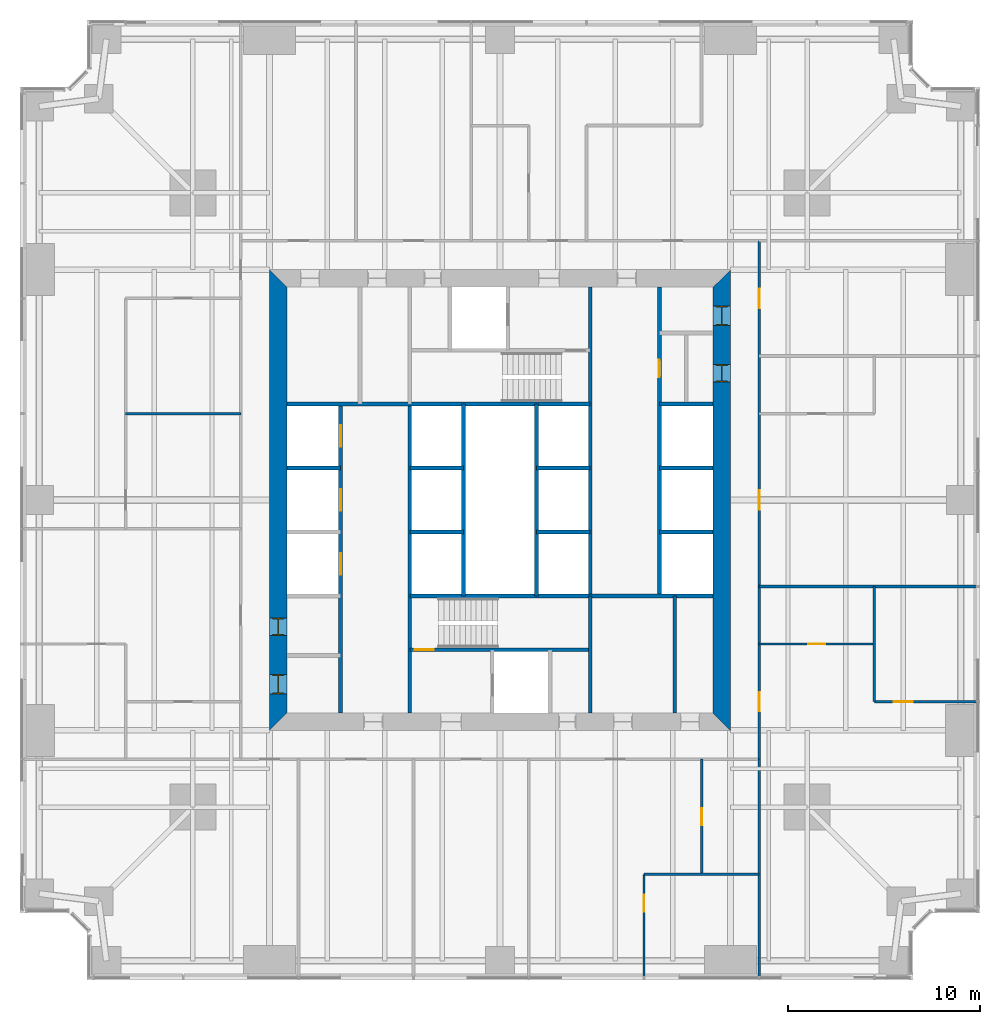
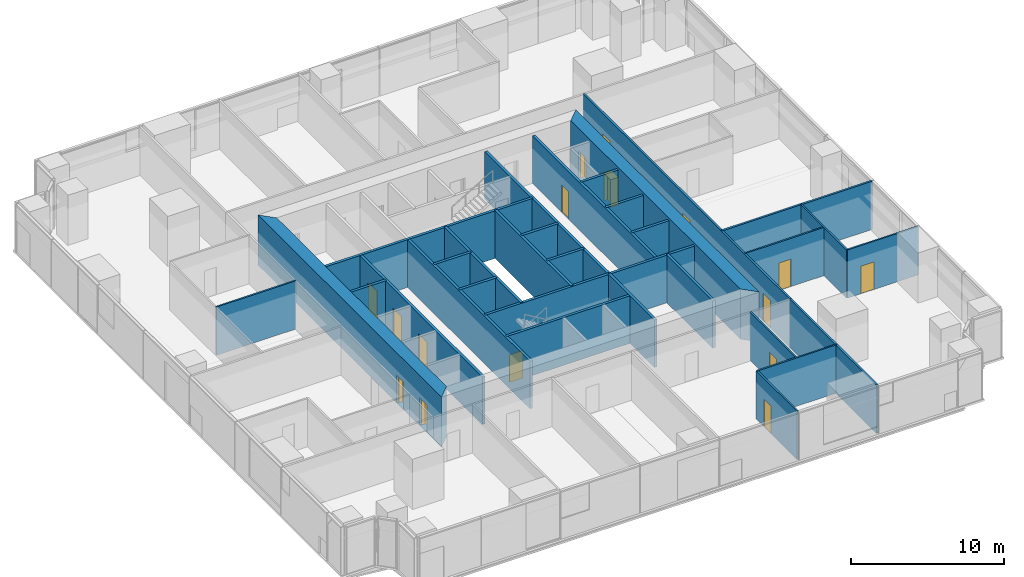
# One storey, part 10 of 14: 31 walls, 16 doors, 16 openings.
"""IFC4 building model written with IfcOpenShell, lengths in metres."""

from ifc_helpers import new_model, si_unit, direction, frame, frame_2d, origin, place, context, subcontext, project, spatial, polyline, rectangle, outline, extrude, material, layer, layer_set, type_object, element, fill, save


model = new_model("IFC4")

# Units and contexts
model_context = context("Model", 3, precision=1e-05, world=origin(), true_north=direction((0.0, 1.0)))
body_context = subcontext(model_context, "Body", "Model", "MODEL_VIEW")
ifc_project = project(units=[si_unit("LENGTHUNIT", "METRE"), si_unit("AREAUNIT", "SQUARE_METRE"), si_unit("VOLUMEUNIT", "CUBIC_METRE"), si_unit("PLANEANGLEUNIT", "RADIAN"), si_unit("MASSUNIT", "GRAM", prefix="KILO")], contexts=[model_context])

# Site, building, storey
site_placement = place(None, origin())
site = spatial("IfcSite", under=ifc_project, at=site_placement, CompositionType="ELEMENT")
building_placement = place(site_placement, origin())
building = spatial("IfcBuilding", under=site, at=building_placement, Name="Fenwick Lantern Interchange", CompositionType="ELEMENT")
storey_placement = place(building_placement, frame((0.0, 0.0, 59.0)))
storey = spatial("IfcBuildingStorey", under=building, at=storey_placement, Name="L13", CompositionType="ELEMENT", Elevation=59.0)

# Wall, openings, doors
ifc_material_1 = material(Name="Concrete masonry ASTM C90 Grade N", Category="masonry")
ifc_layer_1 = layer(ifc_material_1, 0.199951171875)
ifc_layer_set_1 = layer_set([ifc_layer_1], Name="Concrete masonry ASTM C90 Grade N")
wall_type_1 = type_object("IfcWallType", Name="CORE PARTITION 200", PredefinedType="PARTITIONING", material=ifc_layer_set_1)
wall_1_placement = place(storey_placement, frame((16.699951171875, 13.89990234375, 0.0), z_axis=(0.0, 0.0, 1.0), x_axis=(0.0, 1.0, 0.0)))
wall_1 = element("IfcWall", 1, at=wall_1_placement, inside=storey, type_object=wall_type_1, Name="L13/W/CORES/a", PredefinedType="PARTITIONING", context=body_context, shape_type="SweptSolid", body=[
    extrude(rectangle(XDim=16.10009765625, YDim=0.199951171875, at=frame_2d((8.050048828125, 0.0))), origin(), (0.0, 0.0, 1.0), 3.800048828125),
])
opening_1_placement = place(wall_1_placement, frame((7.216552734375, 0.0, 0.0)))
opening_1 = element("IfcOpeningElement", 2, at=opening_1_placement, cuts=wall_1, Name="Opening LD-W1-1", PredefinedType="OPENING", context=body_context, shape_type="SweptSolid", body=[
    extrude(rectangle(XDim=1.10009765625, YDim=2.199951171875, at=frame_2d((0.550048828125, 1.10009765625))), frame((0.0, 0.10986328125, 0.0), z_axis=(0.0, -1.0, 0.0), x_axis=(1.0, 0.0, 0.0)), (0.0, 0.0, 1.0), 0.219970703125),
])
opening_2_placement = place(wall_1_placement, frame((10.550048828125, 0.0, 0.0)))
opening_2 = element("IfcOpeningElement", 3, at=opening_2_placement, cuts=wall_1, Name="Opening LD-W1-2", PredefinedType="OPENING", context=body_context, shape_type="SweptSolid", body=[
    extrude(rectangle(XDim=1.10009765625, YDim=2.199951171875, at=frame_2d((0.550048828125, 1.10009765625))), frame((0.0, 0.10986328125, 0.0), z_axis=(0.0, -1.0, 0.0), x_axis=(1.0, 0.0, 0.0)), (0.0, 0.0, 1.0), 0.219970703125),
])
opening_3_placement = place(wall_1_placement, frame((13.88330078125, 0.0, 0.0)))
opening_3 = element("IfcOpeningElement", 4, at=opening_3_placement, cuts=wall_1, Name="Opening LD-W1-3", PredefinedType="OPENING", context=body_context, shape_type="SweptSolid", body=[
    extrude(rectangle(XDim=1.10009765625, YDim=2.199951171875, at=frame_2d((0.550048828125, 1.10009765625))), frame((0.0, 0.10986328125, 0.0), z_axis=(0.0, -1.0, 0.0), x_axis=(1.0, 0.0, 0.0)), (0.0, 0.0, 1.0), 0.219970703125),
])
ifc_material_2 = material(Name="Steel door and frame", Category="steel")
door_type_1 = type_object("IfcDoorType", Name="LIFT LANDING DOOR 1100 X 2200", OperationType="DOUBLE_DOOR_SLIDING", PredefinedType="DOOR", material=ifc_material_2)
door_1_placement = place(opening_1_placement, origin())
door_1 = element("IfcDoor", 5, at=door_1_placement, inside=storey, type_object=door_type_1, Name="Lift landing door W1-1", OperationType="DOUBLE_DOOR_SLIDING", OverallHeight=2.199951171875, OverallWidth=1.10009765625, PredefinedType="DOOR", context=body_context, shape_type="SweptSolid", body=[
    extrude(rectangle(XDim=1.10009765625, YDim=2.199951171875, at=frame_2d((0.550048828125, 1.10009765625))), frame((0.0, 0.02490234375, 0.0), z_axis=(0.0, -1.0, 0.0), x_axis=(1.0, 0.0, 0.0)), (0.0, 0.0, 1.0), 0.050048828125),
])
fill(opening_1, door_1)
door_2_placement = place(opening_2_placement, origin())
door_2 = element("IfcDoor", 6, at=door_2_placement, inside=storey, type_object=door_type_1, Name="Lift landing door W1-2", OperationType="DOUBLE_DOOR_SLIDING", OverallHeight=2.199951171875, OverallWidth=1.10009765625, PredefinedType="DOOR", context=body_context, shape_type="SweptSolid", body=[
    extrude(rectangle(XDim=1.10009765625, YDim=2.199951171875, at=frame_2d((0.550048828125, 1.10009765625))), frame((0.0, 0.02490234375, 0.0), z_axis=(0.0, -1.0, 0.0), x_axis=(1.0, 0.0, 0.0)), (0.0, 0.0, 1.0), 0.050048828125),
])
fill(opening_2, door_2)
door_3_placement = place(opening_3_placement, origin())
door_3 = element("IfcDoor", 7, at=door_3_placement, inside=storey, type_object=door_type_1, Name="Lift landing door W1-3", OperationType="DOUBLE_DOOR_SLIDING", OverallHeight=2.199951171875, OverallWidth=1.10009765625, PredefinedType="DOOR", context=body_context, shape_type="SweptSolid", body=[
    extrude(rectangle(XDim=1.10009765625, YDim=2.199951171875, at=frame_2d((0.550048828125, 1.10009765625))), frame((0.0, 0.02490234375, 0.0), z_axis=(0.0, -1.0, 0.0), x_axis=(1.0, 0.0, 0.0)), (0.0, 0.0, 1.0), 0.050048828125),
])
fill(opening_3, door_3)

# Walls
for number, where, z_axis, x_axis, name in (
    (8, (13.89990234375, 26.666748046875, 0.0), (0.0, 0.0, 1.0), (1.0, 0.0, 0.0), "L13/W/CORES/d2"),
    (9, (20.300048828125, 23.333251953125, 0.0), (0.0, 0.0, 1.0), (1.0, 0.0, 0.0), "L13/W/CORES/e1"),
    (10, (20.300048828125, 26.666748046875, 0.0), (0.0, 0.0, 1.0), (1.0, 0.0, 0.0), "L13/W/CORES/e2"),
):
    element("IfcWall", number, at=place(storey_placement, frame(where, z_axis=z_axis, x_axis=x_axis)), inside=storey, type_object=wall_type_1, Name=name, PredefinedType="PARTITIONING", context=body_context, shape_type="SweptSolid", body=[
        extrude(rectangle(XDim=2.800048828125, YDim=0.199951171875, at=frame_2d((1.39990234375, 0.0))), origin(), (0.0, 0.0, 1.0), 3.800048828125),
    ])
wall_2_placement = place(storey_placement, frame((23.10009765625, 20.0, 0.0), z_axis=(0.0, 0.0, 1.0), x_axis=(0.0, 1.0, 0.0)))
element("IfcWall", 11, at=wall_2_placement, inside=storey, type_object=wall_type_1, Name="L13/W/CORES/e3", PredefinedType="PARTITIONING", context=body_context, shape_type="SweptSolid", body=[
    extrude(rectangle(XDim=10.0, YDim=0.199951171875, at=frame_2d((5.0, 0.0))), origin(), (0.0, 0.0, 1.0), 3.800048828125),
])
wall_3_placement = place(storey_placement, frame((34.10009765625, 13.89990234375, 0.0), z_axis=(0.0, 0.0, 1.0), x_axis=(0.0, 1.0, 0.0)))
element("IfcWall", 12, at=wall_3_placement, inside=storey, type_object=wall_type_1, Name="L13/W/CORES/i2", PredefinedType="PARTITIONING", context=body_context, shape_type="SweptSolid", body=[
    extrude(rectangle(XDim=6.10009765625, YDim=0.199951171875, at=frame_2d((3.050048828125, 0.0))), origin(), (0.0, 0.0, 1.0), 3.800048828125),
])

# Wall, opening, door
wall_4_placement = place(storey_placement, frame((33.300048828125, 36.10009765625, 0.0), z_axis=(0.0, 0.0, 1.0), x_axis=(0.0, -1.0, 0.0)))
wall_4 = element("IfcWall", 13, at=wall_4_placement, inside=storey, type_object=wall_type_1, Name="L13/W/COREN/a", PredefinedType="PARTITIONING", context=body_context, shape_type="SweptSolid", body=[
    extrude(rectangle(XDim=16.10009765625, YDim=0.199951171875, at=frame_2d((8.050048828125, 0.0))), origin(), (0.0, 0.0, 1.0), 3.800048828125),
])
opening_4_placement = place(wall_4_placement, frame((3.800048828125, 0.0, 0.0)))
opening_4 = element("IfcOpeningElement", 14, at=opening_4_placement, cuts=wall_4, Name="Opening L13-D016", PredefinedType="OPENING", context=body_context, shape_type="SweptSolid", body=[
    extrude(rectangle(XDim=0.89990234375, YDim=2.199951171875, at=frame_2d((0.449951171875, 1.10009765625))), frame((0.0, 0.10986328125, 0.0), z_axis=(0.0, -1.0, 0.0), x_axis=(1.0, 0.0, 0.0)), (0.0, 0.0, 1.0), 0.219970703125),
])
door_type_2 = type_object("IfcDoorType", Name="SERVICE DOOR 900 X 2200", OperationType="SINGLE_SWING_LEFT", PredefinedType="DOOR", material=ifc_material_2)
door_4_placement = place(opening_4_placement, origin())
door_4 = element("IfcDoor", 15, at=door_4_placement, inside=storey, type_object=door_type_2, Name="Service door", OperationType="SINGLE_SWING_LEFT", OverallHeight=2.199951171875, OverallWidth=0.89990234375, PredefinedType="DOOR", context=body_context, shape_type="SweptSolid", body=[
    extrude(rectangle(XDim=0.89990234375, YDim=2.199951171875, at=frame_2d((0.449951171875, 1.10009765625))), frame((0.0, 0.02490234375, 0.0), z_axis=(0.0, -1.0, 0.0), x_axis=(1.0, 0.0, 0.0)), (0.0, 0.0, 1.0), 0.050048828125),
])
fill(opening_4, door_4)

# Walls
for number, where, z_axis, x_axis, name in (
    (16, (36.10009765625, 30.0, 0.0), (0.0, 0.0, 1.0), (-1.0, 0.0, 0.0), "L13/W/COREN/c2"),
    (17, (36.10009765625, 26.666748046875, 0.0), (0.0, 0.0, 1.0), (-1.0, 0.0, 0.0), "L13/W/COREN/d1"),
    (18, (36.10009765625, 23.333251953125, 0.0), (0.0, 0.0, 1.0), (-1.0, 0.0, 0.0), "L13/W/COREN/d2"),
    (19, (29.699951171875, 26.666748046875, 0.0), (0.0, 0.0, 1.0), (-1.0, 0.0, 0.0), "L13/W/COREN/e1"),
    (20, (29.699951171875, 23.333251953125, 0.0), (0.0, 0.0, 1.0), (-1.0, 0.0, 0.0), "L13/W/COREN/e2"),
):
    element("IfcWall", number, at=place(storey_placement, frame(where, z_axis=z_axis, x_axis=x_axis)), inside=storey, type_object=wall_type_1, Name=name, PredefinedType="PARTITIONING", context=body_context, shape_type="SweptSolid", body=[
        extrude(rectangle(XDim=2.800048828125, YDim=0.199951171875, at=frame_2d((1.39990234375, 0.0))), origin(), (0.0, 0.0, 1.0), 3.800048828125),
    ])
wall_5_placement = place(storey_placement, frame((26.89990234375, 30.0, 0.0), z_axis=(0.0, 0.0, 1.0), x_axis=(0.0, -1.0, 0.0)))
element("IfcWall", 21, at=wall_5_placement, inside=storey, type_object=wall_type_1, Name="L13/W/COREN/e3", PredefinedType="PARTITIONING", context=body_context, shape_type="SweptSolid", body=[
    extrude(rectangle(XDim=10.0, YDim=0.199951171875, at=frame_2d((5.0, 0.0))), origin(), (0.0, 0.0, 1.0), 3.800048828125),
])

# Wall, openings, doors
ifc_material_3 = material(Name="Concrete f'c 70 MPa", Category="concrete")
ifc_layer_2 = layer(ifc_material_3, 0.89990234375)
ifc_layer_set_2 = layer_set([ifc_layer_2], Name="CORE WALL 900")
wall_type_2 = type_object("IfcWallType", Name="CORE WALL 900", PredefinedType="SHEAR", material=ifc_layer_set_2)
wall_6_placement = place(storey_placement, frame((36.550048828125, 13.89990234375, 0.0), z_axis=(0.0, 0.0, 1.0), x_axis=(0.0, 1.0, 0.0)))
wall_6 = element("IfcWall", 22, at=wall_6_placement, inside=storey, type_object=wall_type_2, Name="L13/CORE/E", PredefinedType="SHEAR", context=body_context, shape_type="SweptSolid", body=[
    extrude(outline(polyline([(-0.89990234375, -0.449951171875), (23.10009765625, -0.449951171875), (22.199951171875, 0.449951171875), (0.0, 0.449951171875), (-0.89990234375, -0.449951171875)])), origin(), (0.0, 0.0, 1.0), 4.0),
])
opening_5_placement = place(wall_6_placement, frame((20.199951171875, 0.0, 0.0)))
opening_5 = element("IfcOpeningElement", 23, at=opening_5_placement, cuts=wall_6, Name="Opening L13-D015", PredefinedType="OPENING", context=body_context, shape_type="SweptSolid", body=[
    extrude(rectangle(XDim=1.0, YDim=2.199951171875, at=frame_2d((0.5, 1.10009765625))), frame((0.0, 0.4599609375, 0.0), z_axis=(0.0, -1.0, 0.0), x_axis=(1.0, 0.0, 0.0)), (0.0, 0.0, 1.0), 0.919921875),
])
opening_6_placement = place(wall_6_placement, frame((17.25, 0.0, 0.0)))
opening_6 = element("IfcOpeningElement", 24, at=opening_6_placement, cuts=wall_6, Name="Opening L13-D017", PredefinedType="OPENING", context=body_context, shape_type="SweptSolid", body=[
    extrude(rectangle(XDim=0.89990234375, YDim=2.199951171875, at=frame_2d((0.449951171875, 1.10009765625))), frame((0.0, 0.4599609375, 0.0), z_axis=(0.0, -1.0, 0.0), x_axis=(1.0, 0.0, 0.0)), (0.0, 0.0, 1.0), 0.919921875),
])
door_type_3 = type_object("IfcDoorType", Name="SERVICE DOOR 1000 X 2200", OperationType="SINGLE_SWING_LEFT", PredefinedType="DOOR", material=ifc_material_2)
door_5_placement = place(opening_5_placement, origin())
door_5 = element("IfcDoor", 25, at=door_5_placement, inside=storey, type_object=door_type_3, Name="Service door", OperationType="SINGLE_SWING_LEFT", OverallHeight=2.199951171875, OverallWidth=1.0, PredefinedType="DOOR", context=body_context, shape_type="SweptSolid", body=[
    extrude(rectangle(XDim=1.0, YDim=2.199951171875, at=frame_2d((0.5, 1.10009765625))), frame((0.0, 0.02490234375, 0.0), z_axis=(0.0, -1.0, 0.0), x_axis=(1.0, 0.0, 0.0)), (0.0, 0.0, 1.0), 0.050048828125),
    extrude(outline(polyline([(0.0, 0.0), (0.0400390625, 0.0), (0.0400390625, 2.159912109375), (0.9599609375, 2.159912109375), (0.9599609375, 0.0), (1.0, 0.0), (1.0, 2.199951171875), (0.0, 2.199951171875), (0.0, 0.0)])), frame((0.0, 0.300048828125, 0.0), z_axis=(0.0, -1.0, 0.0), x_axis=(1.0, 0.0, 0.0)), (0.0, 0.0, 1.0), 0.60009765625),
])
fill(opening_5, door_5)
door_6_placement = place(opening_6_placement, origin())
door_6 = element("IfcDoor", 26, at=door_6_placement, inside=storey, type_object=door_type_2, Name="Service door", OperationType="SINGLE_SWING_LEFT", OverallHeight=2.199951171875, OverallWidth=0.89990234375, PredefinedType="DOOR", context=body_context, shape_type="SweptSolid", body=[
    extrude(rectangle(XDim=0.89990234375, YDim=2.199951171875, at=frame_2d((0.449951171875, 1.10009765625))), frame((0.0, 0.02490234375, 0.0), z_axis=(0.0, -1.0, 0.0), x_axis=(1.0, 0.0, 0.0)), (0.0, 0.0, 1.0), 0.050048828125),
    extrude(outline(polyline([(0.0, 0.0), (0.0400390625, 0.0), (0.0400390625, 2.159912109375), (0.85986328125, 2.159912109375), (0.85986328125, 0.0), (0.89990234375, 0.0), (0.89990234375, 2.199951171875), (0.0, 2.199951171875), (0.0, 0.0)])), frame((0.0, 0.300048828125, 0.0), z_axis=(0.0, -1.0, 0.0), x_axis=(1.0, 0.0, 0.0)), (0.0, 0.0, 1.0), 0.60009765625),
])
fill(opening_6, door_6)

wall_7_placement = place(storey_placement, frame((13.449951171875, 36.10009765625, 0.0), z_axis=(0.0, 0.0, 1.0), x_axis=(0.0, -1.0, 0.0)))
wall_7 = element("IfcWall", 27, at=wall_7_placement, inside=storey, type_object=wall_type_2, Name="L13/CORE/W", PredefinedType="SHEAR", context=body_context, shape_type="SweptSolid", body=[
    extrude(outline(polyline([(-0.89990234375, -0.449951171875), (23.10009765625, -0.449951171875), (22.199951171875, 0.449951171875), (0.0, 0.449951171875), (-0.89990234375, -0.449951171875)])), origin(), (0.0, 0.0, 1.0), 4.0),
])
opening_7_placement = place(wall_7_placement, frame((20.199951171875, 0.0, 0.0)))
opening_7 = element("IfcOpeningElement", 28, at=opening_7_placement, cuts=wall_7, Name="Opening L13-D007", PredefinedType="OPENING", context=body_context, shape_type="SweptSolid", body=[
    extrude(rectangle(XDim=1.0, YDim=2.199951171875, at=frame_2d((0.5, 1.10009765625))), frame((0.0, 0.4599609375, 0.0), z_axis=(0.0, -1.0, 0.0), x_axis=(1.0, 0.0, 0.0)), (0.0, 0.0, 1.0), 0.919921875),
])
opening_8_placement = place(wall_7_placement, frame((17.25, 0.0, 0.0)))
opening_8 = element("IfcOpeningElement", 29, at=opening_8_placement, cuts=wall_7, Name="Opening L13-D008", PredefinedType="OPENING", context=body_context, shape_type="SweptSolid", body=[
    extrude(rectangle(XDim=0.89990234375, YDim=2.199951171875, at=frame_2d((0.449951171875, 1.10009765625))), frame((0.0, 0.4599609375, 0.0), z_axis=(0.0, -1.0, 0.0), x_axis=(1.0, 0.0, 0.0)), (0.0, 0.0, 1.0), 0.919921875),
])
door_7_placement = place(opening_8_placement, origin())
door_7 = element("IfcDoor", 30, at=door_7_placement, inside=storey, type_object=door_type_2, Name="Service door", OperationType="SINGLE_SWING_RIGHT", OverallHeight=2.199951171875, OverallWidth=0.89990234375, PredefinedType="DOOR", context=body_context, shape_type="SweptSolid", body=[
    extrude(rectangle(XDim=0.89990234375, YDim=2.199951171875, at=frame_2d((0.449951171875, 1.10009765625))), frame((0.0, 0.02490234375, 0.0), z_axis=(0.0, -1.0, 0.0), x_axis=(1.0, 0.0, 0.0)), (0.0, 0.0, 1.0), 0.050048828125),
    extrude(outline(polyline([(0.0, 0.0), (0.0400390625, 0.0), (0.0400390625, 2.159912109375), (0.85986328125, 2.159912109375), (0.85986328125, 0.0), (0.89990234375, 0.0), (0.89990234375, 2.199951171875), (0.0, 2.199951171875), (0.0, 0.0)])), frame((0.0, 0.300048828125, 0.0), z_axis=(0.0, -1.0, 0.0), x_axis=(1.0, 0.0, 0.0)), (0.0, 0.0, 1.0), 0.60009765625),
])
fill(opening_8, door_7)
ifc_material_4 = material(Name="Hardwood door and steel frame", Category="steel")
door_type_4 = type_object("IfcDoorType", Name="WC DOOR 1000 X 2200", OperationType="SINGLE_SWING_LEFT", PredefinedType="DOOR", material=ifc_material_4)
door_8_placement = place(opening_7_placement, origin())
door_8 = element("IfcDoor", 31, at=door_8_placement, inside=storey, type_object=door_type_4, Name="Wc door", OperationType="SINGLE_SWING_LEFT", OverallHeight=2.199951171875, OverallWidth=1.0, PredefinedType="DOOR", context=body_context, shape_type="SweptSolid", body=[
    extrude(rectangle(XDim=1.0, YDim=2.199951171875, at=frame_2d((0.5, 1.10009765625))), frame((0.0, 0.02490234375, 0.0), z_axis=(0.0, -1.0, 0.0), x_axis=(1.0, 0.0, 0.0)), (0.0, 0.0, 1.0), 0.050048828125),
    extrude(outline(polyline([(0.0, 0.0), (0.0400390625, 0.0), (0.0400390625, 2.159912109375), (0.9599609375, 2.159912109375), (0.9599609375, 0.0), (1.0, 0.0), (1.0, 2.199951171875), (0.0, 2.199951171875), (0.0, 0.0)])), frame((0.0, 0.300048828125, 0.0), z_axis=(0.0, -1.0, 0.0), x_axis=(1.0, 0.0, 0.0)), (0.0, 0.0, 1.0), 0.60009765625),
])
fill(opening_7, door_8)

ifc_material_5 = material(Name="Gypsum board on steel studs, 1 hour", Category="steel")
ifc_layer_3 = layer(ifc_material_5, 0.14990234375)
ifc_layer_set_3 = layer_set([ifc_layer_3], Name="CORRIDOR WALL 150")
wall_type_3 = type_object("IfcWallType", Name="CORRIDOR WALL 150", PredefinedType="PARTITIONING", material=ifc_layer_set_3)
wall_8_placement = place(storey_placement, frame((38.5, 11.5, 0.0), z_axis=(0.0, 0.0, 1.0), x_axis=(0.0, 1.0, 0.0)))
wall_8 = element("IfcWall", 32, at=wall_8_placement, inside=storey, type_object=wall_type_3, Name="L13/W/OFF/E/CW", PredefinedType="PARTITIONING", context=body_context, shape_type="SweptSolid", body=[
    extrude(rectangle(XDim=27.0, YDim=0.14990234375, at=frame_2d((13.5, 0.0))), origin(), (0.0, 0.0, 1.0), 3.85009765625),
])
opening_9_placement = place(wall_8_placement, frame((2.5, 0.0, 0.0)))
opening_9 = element("IfcOpeningElement", 33, at=opening_9_placement, cuts=wall_8, Name="Opening L13-D024", PredefinedType="OPENING", context=body_context, shape_type="SweptSolid", body=[
    extrude(rectangle(XDim=1.0, YDim=2.199951171875, at=frame_2d((0.5, 1.10009765625))), frame((0.0, 0.0849609375, 0.0), z_axis=(0.0, -1.0, 0.0), x_axis=(1.0, 0.0, 0.0)), (0.0, 0.0, 1.0), 0.169921875),
])
opening_10_placement = place(wall_8_placement, frame((13.0, 0.0, 0.0)))
opening_10 = element("IfcOpeningElement", 34, at=opening_10_placement, cuts=wall_8, Name="Opening L13-D027", PredefinedType="OPENING", context=body_context, shape_type="SweptSolid", body=[
    extrude(rectangle(XDim=1.0, YDim=2.199951171875, at=frame_2d((0.5, 1.10009765625))), frame((0.0, 0.0849609375, 0.0), z_axis=(0.0, -1.0, 0.0), x_axis=(1.0, 0.0, 0.0)), (0.0, 0.0, 1.0), 0.169921875),
])
opening_11_placement = place(wall_8_placement, frame((23.5, 0.0, 0.0)))
opening_11 = element("IfcOpeningElement", 35, at=opening_11_placement, cuts=wall_8, Name="Opening L13-D029", PredefinedType="OPENING", context=body_context, shape_type="SweptSolid", body=[
    extrude(rectangle(XDim=1.0, YDim=2.199951171875, at=frame_2d((0.5, 1.10009765625))), frame((0.0, 0.0849609375, 0.0), z_axis=(0.0, -1.0, 0.0), x_axis=(1.0, 0.0, 0.0)), (0.0, 0.0, 1.0), 0.169921875),
])
door_type_5 = type_object("IfcDoorType", Name="SUITE ENTRANCE DOOR 1000 X 2200", OperationType="SINGLE_SWING_LEFT", PredefinedType="DOOR", material=ifc_material_2)
door_9_placement = place(opening_9_placement, frame((1.0, 0.0, 0.0), z_axis=(0.0, 0.0, 1.0), x_axis=(-1.0, 0.0, 0.0)))
door_9 = element("IfcDoor", 36, at=door_9_placement, inside=storey, type_object=door_type_5, Name="Suite entrance door", OperationType="SINGLE_SWING_LEFT", OverallHeight=2.199951171875, OverallWidth=1.0, PredefinedType="DOOR", context=body_context, shape_type="SweptSolid", body=[
    extrude(rectangle(XDim=1.0, YDim=2.199951171875, at=frame_2d((0.5, 1.10009765625))), frame((0.0, 0.02490234375, 0.0), z_axis=(0.0, -1.0, 0.0), x_axis=(1.0, 0.0, 0.0)), (0.0, 0.0, 1.0), 0.050048828125),
])
fill(opening_9, door_9)
door_10_placement = place(opening_10_placement, frame((1.0, 0.0, 0.0), z_axis=(0.0, 0.0, 1.0), x_axis=(-1.0, 0.0, 0.0)))
door_10 = element("IfcDoor", 37, at=door_10_placement, inside=storey, type_object=door_type_5, Name="Suite entrance door", OperationType="SINGLE_SWING_RIGHT", OverallHeight=2.199951171875, OverallWidth=1.0, PredefinedType="DOOR", context=body_context, shape_type="SweptSolid", body=[
    extrude(rectangle(XDim=1.0, YDim=2.199951171875, at=frame_2d((0.5, 1.10009765625))), frame((0.0, 0.02490234375, 0.0), z_axis=(0.0, -1.0, 0.0), x_axis=(1.0, 0.0, 0.0)), (0.0, 0.0, 1.0), 0.050048828125),
])
fill(opening_10, door_10)
door_11_placement = place(opening_11_placement, frame((1.0, 0.0, 0.0), z_axis=(0.0, 0.0, 1.0), x_axis=(-1.0, 0.0, 0.0)))
door_11 = element("IfcDoor", 38, at=door_11_placement, inside=storey, type_object=door_type_5, Name="Suite entrance door", OperationType="SINGLE_SWING_RIGHT", OverallHeight=2.199951171875, OverallWidth=1.0, PredefinedType="DOOR", context=body_context, shape_type="SweptSolid", body=[
    extrude(rectangle(XDim=1.0, YDim=2.199951171875, at=frame_2d((0.5, 1.10009765625))), frame((0.0, 0.02490234375, 0.0), z_axis=(0.0, -1.0, 0.0), x_axis=(1.0, 0.0, 0.0)), (0.0, 0.0, 1.0), 0.050048828125),
])
fill(opening_11, door_11)

# Wall, opening, door
ifc_material_6 = material(Name="Gypsum board on steel studs, acoustic", Category="steel")
ifc_layer_4 = layer(ifc_material_6, 0.125)
ifc_layer_set_4 = layer_set([ifc_layer_4], Name="OFFICE PARTITION 125")
wall_type_4 = type_object("IfcWallType", Name="OFFICE PARTITION 125", PredefinedType="PARTITIONING", material=ifc_layer_set_4)
wall_9_placement = place(storey_placement, frame((32.5, 0.14990234375, 0.0), z_axis=(0.0, 0.0, 1.0), x_axis=(0.0, 1.0, 0.0)))
wall_9 = element("IfcWall", 39, at=wall_9_placement, inside=storey, type_object=wall_type_4, Name="L13/W/OFF/S/X325-1", PredefinedType="PARTITIONING", context=body_context, shape_type="SweptSolid", body=[
    extrude(rectangle(XDim=5.35009765625, YDim=0.125, at=frame_2d((2.675048828125, 0.0))), origin(), (0.0, 0.0, 1.0), 3.85009765625),
])
opening_12_placement = place(wall_9_placement, frame((3.39990234375, 0.0, 0.0)))
opening_12 = element("IfcOpeningElement", 40, at=opening_12_placement, cuts=wall_9, Name="Opening L13-D022", PredefinedType="OPENING", context=body_context, shape_type="SweptSolid", body=[
    extrude(rectangle(XDim=0.89990234375, YDim=2.199951171875, at=frame_2d((0.449951171875, 1.10009765625))), frame((0.0, 0.072509765625, 0.0), z_axis=(0.0, -1.0, 0.0), x_axis=(1.0, 0.0, 0.0)), (0.0, 0.0, 1.0), 0.14501953125),
])
door_type_6 = type_object("IfcDoorType", Name="OFFICE DOOR 900 X 2200", OperationType="SINGLE_SWING_LEFT", PredefinedType="DOOR", material=ifc_material_4)
door_12_placement = place(opening_12_placement, frame((0.89990234375, 0.0, 0.0), z_axis=(0.0, 0.0, 1.0), x_axis=(-1.0, 0.0, 0.0)))
door_12 = element("IfcDoor", 41, at=door_12_placement, inside=storey, type_object=door_type_6, Name="Office door", OperationType="SINGLE_SWING_LEFT", OverallHeight=2.199951171875, OverallWidth=0.89990234375, PredefinedType="DOOR", context=body_context, shape_type="SweptSolid", body=[
    extrude(rectangle(XDim=0.89990234375, YDim=2.199951171875, at=frame_2d((0.449951171875, 1.10009765625))), frame((0.0, 0.02490234375, 0.0), z_axis=(0.0, -1.0, 0.0), x_axis=(1.0, 0.0, 0.0)), (0.0, 0.0, 1.0), 0.050048828125),
])
fill(opening_12, door_12)

wall_10_placement = place(storey_placement, frame((35.5, 5.5, 0.0), z_axis=(0.0, 0.0, 1.0), x_axis=(0.0, 1.0, 0.0)))
wall_10 = element("IfcWall", 42, at=wall_10_placement, inside=storey, type_object=wall_type_4, Name="L13/W/OFF/S/X355-1", PredefinedType="PARTITIONING", context=body_context, shape_type="SweptSolid", body=[
    extrude(rectangle(XDim=6.0, YDim=0.125, at=frame_2d((3.0, 0.0))), origin(), (0.0, 0.0, 1.0), 3.85009765625),
])
opening_13_placement = place(wall_10_placement, frame((2.550048828125, 0.0, 0.0)))
opening_13 = element("IfcOpeningElement", 43, at=opening_13_placement, cuts=wall_10, Name="Opening L13-D023", PredefinedType="OPENING", context=body_context, shape_type="SweptSolid", body=[
    extrude(rectangle(XDim=0.89990234375, YDim=2.199951171875, at=frame_2d((0.449951171875, 1.10009765625))), frame((0.0, 0.072509765625, 0.0), z_axis=(0.0, -1.0, 0.0), x_axis=(1.0, 0.0, 0.0)), (0.0, 0.0, 1.0), 0.14501953125),
])
door_13_placement = place(opening_13_placement, frame((0.89990234375, 0.0, 0.0), z_axis=(0.0, 0.0, 1.0), x_axis=(-1.0, 0.0, 0.0)))
door_13 = element("IfcDoor", 44, at=door_13_placement, inside=storey, type_object=door_type_6, Name="Office door", OperationType="SINGLE_SWING_RIGHT", OverallHeight=2.199951171875, OverallWidth=0.89990234375, PredefinedType="DOOR", context=body_context, shape_type="SweptSolid", body=[
    extrude(rectangle(XDim=0.89990234375, YDim=2.199951171875, at=frame_2d((0.449951171875, 1.10009765625))), frame((0.0, 0.02490234375, 0.0), z_axis=(0.0, -1.0, 0.0), x_axis=(1.0, 0.0, 0.0)), (0.0, 0.0, 1.0), 0.050048828125),
])
fill(opening_13, door_13)

# Wall
wall_11_placement = place(storey_placement, frame((32.5, 5.5, 0.0), z_axis=(0.0, 0.0, 1.0), x_axis=(1.0, 0.0, 0.0)))
element("IfcWall", 45, at=wall_11_placement, inside=storey, type_object=wall_type_4, Name="L13/W/OFF/S/Y55-1", PredefinedType="PARTITIONING", context=body_context, shape_type="SweptSolid", body=[
    extrude(rectangle(XDim=6.0, YDim=0.125, at=frame_2d((3.0, 0.0))), origin(), (0.0, 0.0, 1.0), 3.85009765625),
])

# Wall, opening, door
wall_12_placement = place(storey_placement, frame((49.85009765625, 14.5, 0.0), z_axis=(0.0, 0.0, 1.0), x_axis=(-1.0, 0.0, 0.0)))
wall_12 = element("IfcWall", 46, at=wall_12_placement, inside=storey, type_object=wall_type_4, Name="L13/W/OFF/E/X145-1", PredefinedType="PARTITIONING", context=body_context, shape_type="SweptSolid", body=[
    extrude(rectangle(XDim=5.35009765625, YDim=0.125, at=frame_2d((2.675048828125, 0.0))), origin(), (0.0, 0.0, 1.0), 3.85009765625),
])
opening_14_placement = place(wall_12_placement, frame((3.35009765625, 0.0, 0.0)))
opening_14 = element("IfcOpeningElement", 47, at=opening_14_placement, cuts=wall_12, Name="Opening L13-D025", PredefinedType="OPENING", context=body_context, shape_type="SweptSolid", body=[
    extrude(rectangle(XDim=1.0, YDim=2.199951171875, at=frame_2d((0.5, 1.10009765625))), frame((0.0, 0.072509765625, 0.0), z_axis=(0.0, -1.0, 0.0), x_axis=(1.0, 0.0, 0.0)), (0.0, 0.0, 1.0), 0.14501953125),
])
door_type_7 = type_object("IfcDoorType", Name="MEETING ROOM DOOR 1000 X 2200", OperationType="SINGLE_SWING_LEFT", PredefinedType="DOOR", material=ifc_material_4)
door_14_placement = place(opening_14_placement, frame((1.0, 0.0, 0.0), z_axis=(0.0, 0.0, 1.0), x_axis=(-1.0, 0.0, 0.0)))
door_14 = element("IfcDoor", 48, at=door_14_placement, inside=storey, type_object=door_type_7, Name="Meeting room door", OperationType="SINGLE_SWING_LEFT", OverallHeight=2.199951171875, OverallWidth=1.0, PredefinedType="DOOR", context=body_context, shape_type="SweptSolid", body=[
    extrude(rectangle(XDim=1.0, YDim=2.199951171875, at=frame_2d((0.5, 1.10009765625))), frame((0.0, 0.02490234375, 0.0), z_axis=(0.0, -1.0, 0.0), x_axis=(1.0, 0.0, 0.0)), (0.0, 0.0, 1.0), 0.050048828125),
])
fill(opening_14, door_14)

wall_13_placement = place(storey_placement, frame((44.5, 17.5, 0.0), z_axis=(0.0, 0.0, 1.0), x_axis=(-1.0, 0.0, 0.0)))
wall_13 = element("IfcWall", 49, at=wall_13_placement, inside=storey, type_object=wall_type_4, Name="L13/W/OFF/E/X175-1", PredefinedType="PARTITIONING", context=body_context, shape_type="SweptSolid", body=[
    extrude(rectangle(XDim=6.0, YDim=0.125, at=frame_2d((3.0, 0.0))), origin(), (0.0, 0.0, 1.0), 3.85009765625),
])
opening_15_placement = place(wall_13_placement, frame((2.550048828125, 0.0, 0.0)))
opening_15 = element("IfcOpeningElement", 50, at=opening_15_placement, cuts=wall_13, Name="Opening L13-D026", PredefinedType="OPENING", context=body_context, shape_type="SweptSolid", body=[
    extrude(rectangle(XDim=0.89990234375, YDim=2.199951171875, at=frame_2d((0.449951171875, 1.10009765625))), frame((0.0, 0.072509765625, 0.0), z_axis=(0.0, -1.0, 0.0), x_axis=(1.0, 0.0, 0.0)), (0.0, 0.0, 1.0), 0.14501953125),
])
door_15_placement = place(opening_15_placement, frame((0.89990234375, 0.0, 0.0), z_axis=(0.0, 0.0, 1.0), x_axis=(-1.0, 0.0, 0.0)))
door_15 = element("IfcDoor", 51, at=door_15_placement, inside=storey, type_object=door_type_6, Name="Office door", OperationType="SINGLE_SWING_RIGHT", OverallHeight=2.199951171875, OverallWidth=0.89990234375, PredefinedType="DOOR", context=body_context, shape_type="SweptSolid", body=[
    extrude(rectangle(XDim=0.89990234375, YDim=2.199951171875, at=frame_2d((0.449951171875, 1.10009765625))), frame((0.0, 0.02490234375, 0.0), z_axis=(0.0, -1.0, 0.0), x_axis=(1.0, 0.0, 0.0)), (0.0, 0.0, 1.0), 0.050048828125),
])
fill(opening_15, door_15)

# Walls
for number, where, z_axis, x_axis, name in (
    (52, (44.5, 14.5, 0.0), (0.0, 0.0, 1.0), (0.0, 1.0, 0.0), "L13/W/OFF/E/Y55-1"),
    (53, (5.5, 29.5, 0.0), (0.0, 0.0, 1.0), (1.0, 0.0, 0.0), "L13/W/OFF/W/X205-1"),
):
    element("IfcWall", number, at=place(storey_placement, frame(where, z_axis=z_axis, x_axis=x_axis)), inside=storey, type_object=wall_type_4, Name=name, PredefinedType="PARTITIONING", context=body_context, shape_type="SweptSolid", body=[
        extrude(rectangle(XDim=6.0, YDim=0.125, at=frame_2d((3.0, 0.0))), origin(), (0.0, 0.0, 1.0), 3.85009765625),
    ])
ifc_material_7 = material(Name="Concrete f'c 45 MPa", Category="concrete")
ifc_layer_5 = layer(ifc_material_7, 0.199951171875)
ifc_layer_set_5 = layer_set([ifc_layer_5], Name="STAIR CORE WALL 200")
wall_type_5 = type_object("IfcWallType", Name="STAIR CORE WALL 200", PredefinedType="SOLIDWALL", material=ifc_layer_set_5)
wall_14_placement = place(storey_placement, frame((20.300048828125, 13.89990234375, 0.0), z_axis=(0.0, 0.0, 1.0), x_axis=(0.0, 1.0, 0.0)))
element("IfcWall", 54, at=wall_14_placement, inside=storey, type_object=wall_type_5, Name="L13/W/CORES/b", PredefinedType="SOLIDWALL", context=body_context, shape_type="SweptSolid", body=[
    extrude(rectangle(XDim=16.10009765625, YDim=0.199951171875, at=frame_2d((8.050048828125, 0.0))), origin(), (0.0, 0.0, 1.0), 3.800048828125),
])

# Wall, opening, door
wall_15_placement = place(storey_placement, frame((20.300048828125, 17.199951171875, 0.0), z_axis=(0.0, 0.0, 1.0), x_axis=(1.0, 0.0, 0.0)))
wall_15 = element("IfcWall", 55, at=wall_15_placement, inside=storey, type_object=wall_type_5, Name="L13/W/CORES/g1", PredefinedType="SOLIDWALL", context=body_context, shape_type="SweptSolid", body=[
    extrude(rectangle(XDim=9.39990234375, YDim=0.199951171875, at=frame_2d((4.699951171875, 0.0))), origin(), (0.0, 0.0, 1.0), 3.800048828125),
])
opening_16_placement = place(wall_15_placement, frame((0.25, 0.0, 0.0)))
opening_16 = element("IfcOpeningElement", 56, at=opening_16_placement, cuts=wall_15, Name="Opening L13-D003", PredefinedType="OPENING", context=body_context, shape_type="SweptSolid", body=[
    extrude(rectangle(XDim=1.0, YDim=2.199951171875, at=frame_2d((0.5, 1.10009765625))), frame((0.0, 0.10986328125, 0.0), z_axis=(0.0, -1.0, 0.0), x_axis=(1.0, 0.0, 0.0)), (0.0, 0.0, 1.0), 0.219970703125),
])
door_type_8 = type_object("IfcDoorType", Name="STAIR DOOR 1000 X 2200", OperationType="SINGLE_SWING_LEFT", PredefinedType="DOOR", material=ifc_material_2)
door_16_placement = place(opening_16_placement, origin())
door_16 = element("IfcDoor", 57, at=door_16_placement, inside=storey, type_object=door_type_8, Name="Stair door", OperationType="SINGLE_SWING_LEFT", OverallHeight=2.199951171875, OverallWidth=1.0, PredefinedType="DOOR", context=body_context, shape_type="SweptSolid", body=[
    extrude(rectangle(XDim=1.0, YDim=2.199951171875, at=frame_2d((0.5, 1.10009765625))), frame((0.0, 0.02490234375, 0.0), z_axis=(0.0, -1.0, 0.0), x_axis=(1.0, 0.0, 0.0)), (0.0, 0.0, 1.0), 0.050048828125),
])
fill(opening_16, door_16)

# Walls
wall_16_placement = place(storey_placement, frame((20.300048828125, 20.0, 0.0), z_axis=(0.0, 0.0, 1.0), x_axis=(1.0, 0.0, 0.0)))
element("IfcWall", 58, at=wall_16_placement, inside=storey, type_object=wall_type_5, Name="L13/W/CORES/g2", PredefinedType="SOLIDWALL", context=body_context, shape_type="SweptSolid", body=[
    extrude(rectangle(XDim=15.800048828125, YDim=0.199951171875, at=frame_2d((7.89990234375, 0.0))), origin(), (0.0, 0.0, 1.0), 3.800048828125),
])
wall_17_placement = place(storey_placement, frame((29.699951171875, 13.89990234375, 0.0), z_axis=(0.0, 0.0, 1.0), x_axis=(0.0, 1.0, 0.0)))
element("IfcWall", 59, at=wall_17_placement, inside=storey, type_object=wall_type_5, Name="L13/W/CORES/i1", PredefinedType="SOLIDWALL", context=body_context, shape_type="SweptSolid", body=[
    extrude(rectangle(XDim=6.10009765625, YDim=0.199951171875, at=frame_2d((3.050048828125, 0.0))), origin(), (0.0, 0.0, 1.0), 3.800048828125),
])
wall_18_placement = place(storey_placement, frame((29.699951171875, 36.10009765625, 0.0), z_axis=(0.0, 0.0, 1.0), x_axis=(0.0, -1.0, 0.0)))
element("IfcWall", 60, at=wall_18_placement, inside=storey, type_object=wall_type_5, Name="L13/W/COREN/b", PredefinedType="SOLIDWALL", context=body_context, shape_type="SweptSolid", body=[
    extrude(rectangle(XDim=16.10009765625, YDim=0.199951171875, at=frame_2d((8.050048828125, 0.0))), origin(), (0.0, 0.0, 1.0), 3.800048828125),
])
wall_19_placement = place(storey_placement, frame((29.699951171875, 30.0, 0.0), z_axis=(0.0, 0.0, 1.0), x_axis=(-1.0, 0.0, 0.0)))
element("IfcWall", 61, at=wall_19_placement, inside=storey, type_object=wall_type_5, Name="L13/W/COREN/g2", PredefinedType="SOLIDWALL", context=body_context, shape_type="SweptSolid", body=[
    extrude(rectangle(XDim=15.800048828125, YDim=0.199951171875, at=frame_2d((7.89990234375, 0.0))), origin(), (0.0, 0.0, 1.0), 3.800048828125),
])
ifc_material_8 = material(Name="Gypsum board on steel studs, 1 hour acoustic", Category="steel")
ifc_layer_6 = layer(ifc_material_8, 0.14990234375)
ifc_layer_set_6 = layer_set([ifc_layer_6], Name="TENANT WALL 150")
wall_type_6 = type_object("IfcWallType", Name="TENANT WALL 150", PredefinedType="PARTITIONING", material=ifc_layer_set_6)
for number, where, z_axis, x_axis, name in (
    (62, (38.5, 0.14990234375, 0.0), (0.0, 0.0, 1.0), (0.0, 1.0, 0.0), "L13/W/OFF/E/BACK"),
    (63, (49.85009765625, 20.5, 0.0), (0.0, 0.0, 1.0), (-1.0, 0.0, 0.0), "L13/W/OFF/E/X205-1"),
):
    element("IfcWall", number, at=place(storey_placement, frame(where, z_axis=z_axis, x_axis=x_axis)), inside=storey, type_object=wall_type_6, Name=name, PredefinedType="PARTITIONING", context=body_context, shape_type="SweptSolid", body=[
        extrude(rectangle(XDim=11.35009765625, YDim=0.14990234375, at=frame_2d((5.675048828125, 0.0))), origin(), (0.0, 0.0, 1.0), 3.85009765625),
    ])

save(model, "model.ifc")
